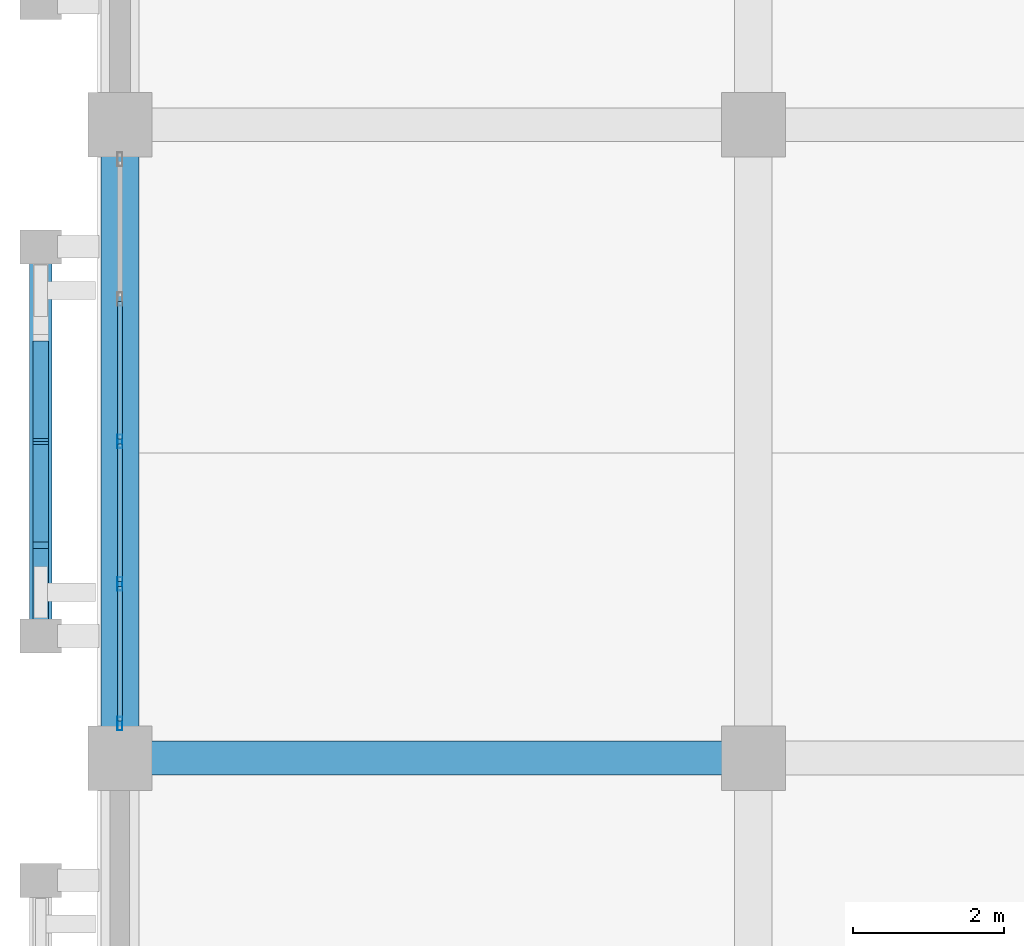
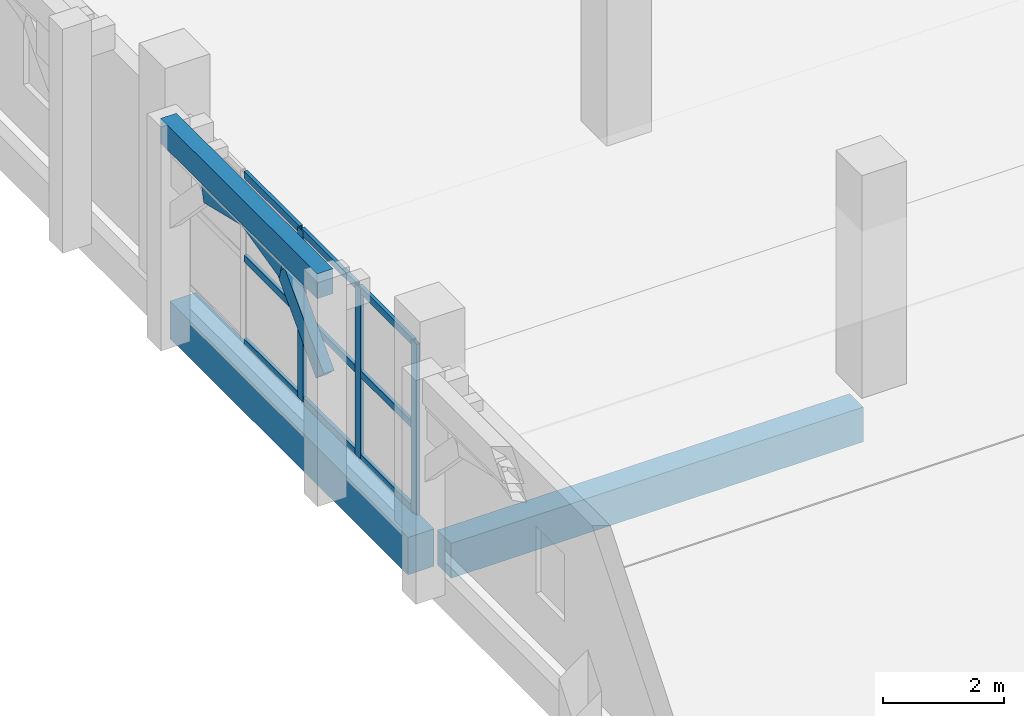
# One storey, part 18 of 137: 15 members, 3 beams, 1 element without a shape of its own.
"""IFC4 building model written with IfcOpenShell, lengths in metres."""

from ifc_helpers import new_model, si_unit, direction, frame, origin, origin_2d, place, context, subcontext, project, spatial, rectangle, hollow_rectangle, extrude, material, layer, layer_set, material_profile, profile_set, type_object, element, aggregate, save


model = new_model("IFC4")

# Units and contexts
model_context = context("Model", 3, precision=1e-05, world=origin(), true_north=direction((0.0, 1.0)))
body_context = subcontext(model_context, "Body", "Model", "MODEL_VIEW")
ifc_project = project(units=[si_unit("LENGTHUNIT", "METRE"), si_unit("AREAUNIT", "SQUARE_METRE"), si_unit("VOLUMEUNIT", "CUBIC_METRE"), si_unit("PLANEANGLEUNIT", "RADIAN"), si_unit("MASSUNIT", "GRAM", prefix="KILO")], contexts=[model_context])

# Site, building, storey
site_placement = place(None, origin())
site = spatial("IfcSite", under=ifc_project, at=site_placement, CompositionType="ELEMENT")
building_placement = place(site_placement, origin())
building = spatial("IfcBuilding", under=site, at=building_placement, Name="Xazarin Passage Department Store", CompositionType="ELEMENT")
storey_placement = place(building_placement, frame((0.0, 0.0, 5.39990234375)))
storey = spatial("IfcBuildingStorey", under=building, at=storey_placement, Name="L01", CompositionType="ELEMENT", Elevation=5.39990234375)

# Curtain wall, members
ifc_material_1 = material(Name="Bronze anodised aluminium", Category="aluminium")
ifc_layer = layer(ifc_material_1, 0.18994140625)
ifc_layer_set = layer_set([ifc_layer], Name="Bronze anodised aluminium")
curtain_wall_type = type_object("IfcCurtainWallType", Name="ARC-CW-FDH1", PredefinedType="NOTDEFINED", material=ifc_layer_set)
curtain_wall_placement = place(storey_placement, origin())
curtain_wall = element("IfcCurtainWall", 1, at=curtain_wall_placement, inside=storey, type_object=curtain_wall_type, Name="L01 V3 Curtain Wall 128", PredefinedType="NOTDEFINED")
ifc_material_profile_1 = material_profile(ifc_material_1, hollow_rectangle(XDim=0.06494140625, YDim=0.179931640625, WallThickness=0.00390625, at=origin_2d()), Name="ALU 65x180")
ifc_profile_set_1 = profile_set([ifc_material_profile_1], Name="Bronze anodised aluminium")
member_type_1 = type_object("IfcMemberType", Name="ARC-CWM-65x180", PredefinedType="MULLION", material=ifc_profile_set_1)
member_1_placement = place(storey_placement, frame((0.0, 34.0576171875, 0.0), z_axis=(0.0, 0.0, 1.0), x_axis=(-1.0, 0.0, 0.0)))
member_1 = element("IfcMember", 2, at=member_1_placement, type_object=member_type_1, Name="CW5 mullion 1", PredefinedType="MULLION", context=body_context, shape_type="SweptSolid", body=[
    extrude(hollow_rectangle(XDim=0.06494140625, YDim=0.179931640625, WallThickness=0.00390625, at=origin_2d()), origin(), (0.0, 0.0, 1.0), 3.43017578125),
])
member_2_placement = place(storey_placement, frame((0.0, 35.91259765625, 0.0), z_axis=(0.0, 0.0, 1.0), x_axis=(-1.0, 0.0, 0.0)))
member_2 = element("IfcMember", 3, at=member_2_placement, type_object=member_type_1, Name="CW5 mullion 2", PredefinedType="MULLION", context=body_context, shape_type="SweptSolid", body=[
    extrude(hollow_rectangle(XDim=0.06494140625, YDim=0.179931640625, WallThickness=0.00390625, at=origin_2d()), origin(), (0.0, 0.0, 1.0), 3.43017578125),
])
member_3_placement = place(storey_placement, frame((0.0, 37.800048828125, 0.0), z_axis=(0.0, 0.0, 1.0), x_axis=(-1.0, 0.0, 0.0)))
member_3 = element("IfcMember", 4, at=member_3_placement, type_object=member_type_1, Name="CW5 mullion 3", PredefinedType="MULLION", context=body_context, shape_type="SweptSolid", body=[
    extrude(hollow_rectangle(XDim=0.06494140625, YDim=0.179931640625, WallThickness=0.00390625, at=origin_2d()), origin(), (0.0, 0.0, 1.0), 3.43017578125),
])
ifc_material_profile_2 = material_profile(ifc_material_1, hollow_rectangle(XDim=0.06494140625, YDim=0.139892578125, WallThickness=0.00390625, at=origin_2d()), Name="ALU 65x140")
ifc_profile_set_2 = profile_set([ifc_material_profile_2], Name="Bronze anodised aluminium")
member_type_2 = type_object("IfcMemberType", Name="ARC-CWT-65x140", PredefinedType="USERDEFINED", material=ifc_profile_set_2)
member_4_placement = place(storey_placement, frame((0.0, 34.090087890625, 0.03271484375), z_axis=(0.0, 1.0, 0.0), x_axis=(-1.0, 0.0, 0.0)))
member_4 = element("IfcMember", 5, at=member_4_placement, type_object=member_type_2, Name="CW5 transom 1.1", ObjectType="TRANSOM", PredefinedType="USERDEFINED", context=body_context, shape_type="SweptSolid", body=[
    extrude(hollow_rectangle(XDim=0.06494140625, YDim=0.139892578125, WallThickness=0.00390625, at=origin_2d()), origin(), (0.0, 0.0, 1.0), 1.789794921875),
])
member_5_placement = place(storey_placement, frame((0.0, 34.090087890625, 1.715087890625), z_axis=(0.0, 1.0, 0.0), x_axis=(-1.0, 0.0, 0.0)))
member_5 = element("IfcMember", 6, at=member_5_placement, type_object=member_type_2, Name="CW5 transom 1.2", ObjectType="TRANSOM", PredefinedType="USERDEFINED", context=body_context, shape_type="SweptSolid", body=[
    extrude(hollow_rectangle(XDim=0.06494140625, YDim=0.139892578125, WallThickness=0.00390625, at=origin_2d()), origin(), (0.0, 0.0, 1.0), 1.789794921875),
])
member_6_placement = place(storey_placement, frame((0.0, 34.090087890625, 3.397705078125), z_axis=(0.0, 1.0, 0.0), x_axis=(-1.0, 0.0, 0.0)))
member_6 = element("IfcMember", 7, at=member_6_placement, type_object=member_type_2, Name="CW5 transom 1.3", ObjectType="TRANSOM", PredefinedType="USERDEFINED", context=body_context, shape_type="SweptSolid", body=[
    extrude(hollow_rectangle(XDim=0.06494140625, YDim=0.139892578125, WallThickness=0.00390625, at=origin_2d()), origin(), (0.0, 0.0, 1.0), 1.789794921875),
])
member_7_placement = place(storey_placement, frame((0.0, 35.945068359375, 0.03271484375), z_axis=(0.0, 1.0, 0.0), x_axis=(-1.0, 0.0, 0.0)))
member_7 = element("IfcMember", 8, at=member_7_placement, type_object=member_type_2, Name="CW5 transom 2.1", ObjectType="TRANSOM", PredefinedType="USERDEFINED", context=body_context, shape_type="SweptSolid", body=[
    extrude(hollow_rectangle(XDim=0.06494140625, YDim=0.139892578125, WallThickness=0.00390625, at=origin_2d()), origin(), (0.0, 0.0, 1.0), 1.822509765625),
])
member_8_placement = place(storey_placement, frame((0.0, 35.945068359375, 1.715087890625), z_axis=(0.0, 1.0, 0.0), x_axis=(-1.0, 0.0, 0.0)))
member_8 = element("IfcMember", 9, at=member_8_placement, type_object=member_type_2, Name="CW5 transom 2.2", ObjectType="TRANSOM", PredefinedType="USERDEFINED", context=body_context, shape_type="SweptSolid", body=[
    extrude(hollow_rectangle(XDim=0.06494140625, YDim=0.139892578125, WallThickness=0.00390625, at=origin_2d()), origin(), (0.0, 0.0, 1.0), 1.822509765625),
])
member_9_placement = place(storey_placement, frame((0.0, 35.945068359375, 3.397705078125), z_axis=(0.0, 1.0, 0.0), x_axis=(-1.0, 0.0, 0.0)))
member_9 = element("IfcMember", 10, at=member_9_placement, type_object=member_type_2, Name="CW5 transom 2.3", ObjectType="TRANSOM", PredefinedType="USERDEFINED", context=body_context, shape_type="SweptSolid", body=[
    extrude(hollow_rectangle(XDim=0.06494140625, YDim=0.139892578125, WallThickness=0.00390625, at=origin_2d()), origin(), (0.0, 0.0, 1.0), 1.822509765625),
])
member_10_placement = place(storey_placement, frame((0.0, 37.83251953125, 0.03271484375), z_axis=(0.0, 1.0, 0.0), x_axis=(-1.0, 0.0, 0.0)))
member_10 = element("IfcMember", 11, at=member_10_placement, type_object=member_type_2, Name="CW5 transom 3.1", ObjectType="TRANSOM", PredefinedType="USERDEFINED", context=body_context, shape_type="SweptSolid", body=[
    extrude(hollow_rectangle(XDim=0.06494140625, YDim=0.139892578125, WallThickness=0.00390625, at=origin_2d()), origin(), (0.0, 0.0, 1.0), 1.822509765625),
])
member_11_placement = place(storey_placement, frame((0.0, 37.83251953125, 1.715087890625), z_axis=(0.0, 1.0, 0.0), x_axis=(-1.0, 0.0, 0.0)))
member_11 = element("IfcMember", 12, at=member_11_placement, type_object=member_type_2, Name="CW5 transom 3.2", ObjectType="TRANSOM", PredefinedType="USERDEFINED", context=body_context, shape_type="SweptSolid", body=[
    extrude(hollow_rectangle(XDim=0.06494140625, YDim=0.139892578125, WallThickness=0.00390625, at=origin_2d()), origin(), (0.0, 0.0, 1.0), 1.822509765625),
])
member_12_placement = place(storey_placement, frame((0.0, 37.83251953125, 3.397705078125), z_axis=(0.0, 1.0, 0.0), x_axis=(-1.0, 0.0, 0.0)))
member_12 = element("IfcMember", 13, at=member_12_placement, type_object=member_type_2, Name="CW5 transom 3.3", ObjectType="TRANSOM", PredefinedType="USERDEFINED", context=body_context, shape_type="SweptSolid", body=[
    extrude(hollow_rectangle(XDim=0.06494140625, YDim=0.139892578125, WallThickness=0.00390625, at=origin_2d()), origin(), (0.0, 0.0, 1.0), 1.822509765625),
])
aggregate(curtain_wall, [member_1, member_2, member_3, member_4, member_5, member_6, member_7, member_8, member_9, member_10, member_11, member_12])

# Beams
ifc_material_2 = material(Name="Concrete C35/45", Category="concrete")
ifc_material_profile_3 = material_profile(ifc_material_2, rectangle(XDim=0.449951171875, YDim=0.699951171875, at=origin_2d()), Name="RC 450x700")
ifc_profile_set_3 = profile_set([ifc_material_profile_3], Name="Concrete C35/45")
beam_type_1 = type_object("IfcBeamType", Name="STR-BM-G450x700", PredefinedType="BEAM", material=ifc_profile_set_3)
beam_1_placement = place(storey_placement, frame((0.280029296875, 33.60009765625, -0.669921875), z_axis=(1.0, 0.0, 0.0), x_axis=(0.0, 1.0, 0.0)))
element("IfcBeam", 14, at=beam_1_placement, inside=storey, type_object=beam_type_1, Name="L01 Grid Beam E/1-2", PredefinedType="BEAM", context=body_context, shape_type="SweptSolid", body=[
    extrude(rectangle(XDim=0.449951171875, YDim=0.699951171875, at=origin_2d()), origin(), (0.0, 0.0, 1.0), 7.840087890625),
])
ifc_material_profile_4 = material_profile(ifc_material_2, rectangle(XDim=0.300048828125, YDim=0.5, at=origin_2d()), Name="RC 300x500")
ifc_profile_set_4 = profile_set([ifc_material_profile_4], Name="Concrete C35/45")
beam_type_2 = type_object("IfcBeamType", Name="STR-BM-LN300x500", PredefinedType="LINTEL", material=ifc_profile_set_4)
beam_2_placement = place(storey_placement, frame((-1.050048828125, 35.219970703125, 4.25), z_axis=(0.0, 1.0, 0.0), x_axis=(-1.0, 0.0, 0.0)))
element("IfcBeam", 15, at=beam_2_placement, inside=storey, type_object=beam_type_2, Name="L01 V3 Colonnade Spandrel Beam 036", PredefinedType="LINTEL", context=body_context, shape_type="SweptSolid", body=[
    extrude(rectangle(XDim=0.300048828125, YDim=0.5, at=origin_2d()), origin(), (0.0, 0.0, 1.0), 5.159912109375),
])
ifc_material_profile_5 = material_profile(ifc_material_2, rectangle(XDim=0.5, YDim=0.75, at=origin_2d()), Name="RC 500x750")
ifc_profile_set_5 = profile_set([ifc_material_profile_5], Name="Concrete C35/45")
beam_type_3 = type_object("IfcBeamType", Name="STR-BM-SP500x750", PredefinedType="SPANDREL", material=ifc_profile_set_5)
beam_3_placement = place(storey_placement, frame((0.0, 33.8798828125, -0.69482421875), z_axis=(0.0, 1.0, 0.0), x_axis=(-1.0, 0.0, 0.0)))
element("IfcBeam", 16, at=beam_3_placement, inside=storey, type_object=beam_type_3, Name="L01 Grid Beam 1/E-F", PredefinedType="SPANDREL", context=body_context, shape_type="SweptSolid", body=[
    extrude(rectangle(XDim=0.5, YDim=0.75, at=origin_2d()), origin(), (0.0, 0.0, 1.0), 7.840087890625),
])

# Members
ifc_material_3 = material(Name="Concrete C40/50", Category="concrete")
ifc_material_profile_6 = material_profile(ifc_material_3, rectangle(XDim=0.199951171875, YDim=0.360107421875, at=origin_2d()), Name="RC 200x360")
ifc_profile_set_6 = profile_set([ifc_material_profile_6], Name="Concrete C40/50")
member_type_3 = type_object("IfcMemberType", Name="STR-MEM-ARC360", PredefinedType="CHORD", material=ifc_profile_set_6)
member_13_placement = place(storey_placement, frame((-1.050048828125, 35.219970703125, 2.43017578125), z_axis=(0.0, 0.693460080602, 0.720495049679), x_axis=(-1.0, 0.0, 0.0)))
element("IfcMember", 17, at=member_13_placement, inside=storey, type_object=member_type_3, Name="L01 V3 Pierced Lattice Curved Arch 036.1", PredefinedType="CHORD", context=body_context, shape_type="SweptSolid", body=[
    extrude(rectangle(XDim=0.199951171875, YDim=0.360107421875, at=origin_2d()), origin(), (0.0, 0.0, 1.0), 1.8603515625),
])
for number, where, z_axis, x_axis, name in (
    (18, (-1.050048828125, 36.510009765625, 3.7705078125), (0.0, 0.972393983317, 0.233345111818), (-1.0, 0.0, 0.0), "L01 V3 Pierced Lattice Curved Arch 036.2"),
    (19, (-1.050048828125, 37.800048828125, 4.080078125), (0.0, 0.972393983317, -0.233345111818), (-1.0, 0.0, 0.0), "L01 V3 Pierced Lattice Curved Arch 036.3"),
):
    element("IfcMember", number, at=place(storey_placement, frame(where, z_axis=z_axis, x_axis=x_axis)), inside=storey, type_object=member_type_3, Name=name, PredefinedType="CHORD", context=body_context, shape_type="SweptSolid", body=[
        extrude(rectangle(XDim=0.199951171875, YDim=0.360107421875, at=origin_2d()), origin(), (0.0, 0.0, 1.0), 1.32666015625),
    ])

save(model, "model.ifc")
